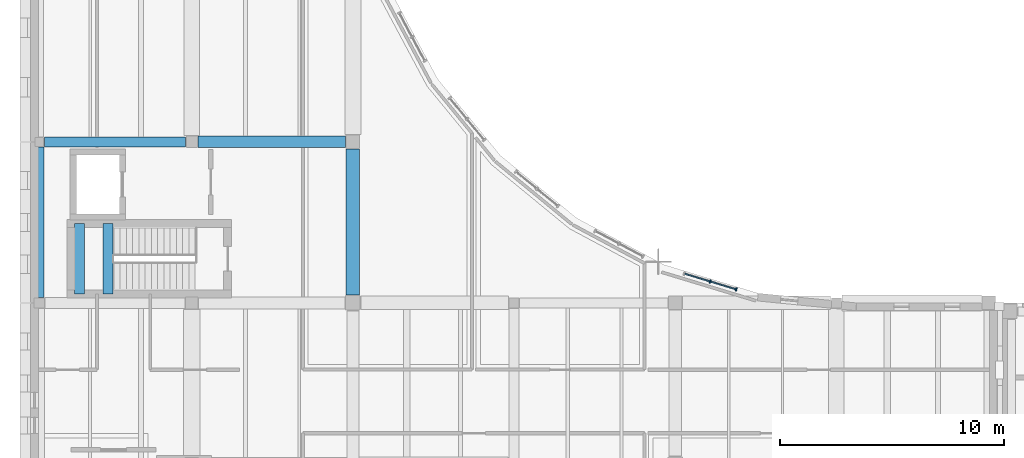
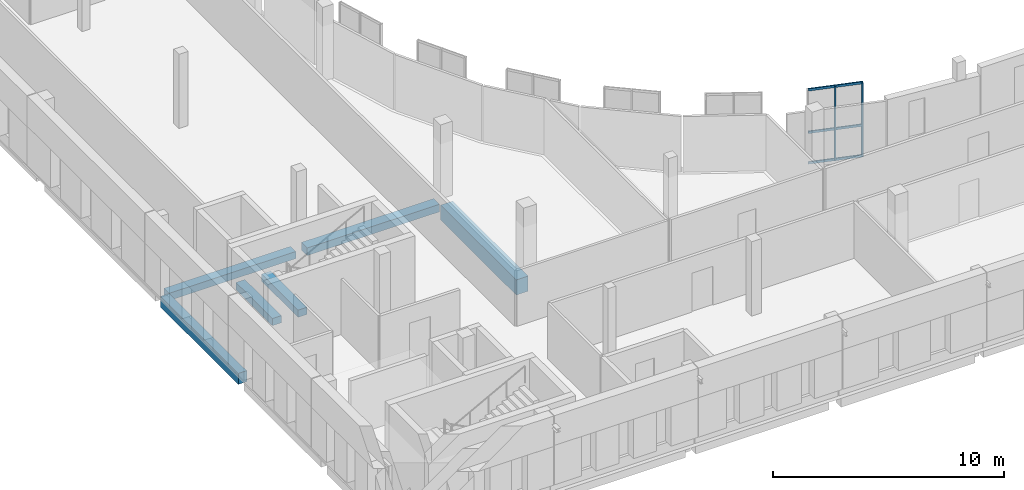
# One storey, part 8 of 76: 8 members, 6 beams, 1 element without a shape of its own.
"""IFC4 building model written with IfcOpenShell, lengths in metres."""

import ifcopenshell
import ifcopenshell.guid

model = None  # the IFC model being written
_history = None  # IfcOwnerHistory: only IFC2X3 demands one
_inside = {}  # id of a spatial element -> (the spatial element, [elements in it])
_under = {}  # id of a project, library or spatial element -> (it, [spatial elements below it])
_declared = {}  # id of a project -> (the project, [libraries it declares])
_typed = {}  # id of a type object -> (the type object, [elements of that type])
_made_of = {}  # id of a material, layer set ... -> (it, [elements and type objects made of it])


def new_model(schema):
    """Start an empty IFC model of exactly this schema.

    Asked for "IFC4X3", IfcOpenShell would pick the latest addendum, in which some entities
    have other attributes; the version numbers below select the first issue.
    IFC2X3 requires an IfcOwnerHistory on every rooted entity: one is made here for all.
    """
    global model, _history
    if schema == "IFC4X3":
        model = ifcopenshell.file(schema_version=(4, 3, 0, 0))
    else:
        model = ifcopenshell.file(schema=schema)
    _inside.clear()
    _under.clear()
    _declared.clear()
    _typed.clear()
    _made_of.clear()
    _history = None
    if model.schema == "IFC2X3":
        org = make("IfcOrganization", Name="unknown")
        user = make(
            "IfcPersonAndOrganization",
            ThePerson=make("IfcPerson", FamilyName="unknown"),
            TheOrganization=org,
        )
        app = make(
            "IfcApplication",
            ApplicationDeveloper=org,
            Version="unknown",
            ApplicationFullName="unknown",
            ApplicationIdentifier="unknown",
        )
        _history = make(
            "IfcOwnerHistory",
            OwningUser=user,
            OwningApplication=app,
            ChangeAction="ADDED",
            CreationDate=0,
        )
    return model


def make(cls, **values):
    """One entity of the class cls with the attributes given. An attribute that is None is left unset."""
    return model.create_entity(
        cls, **{name: value for name, value in values.items() if value is not None}
    )


def rooted(cls, **values):
    """An entity with a GlobalId (a new one), such as an element, a storey or a relation."""
    return make(cls, GlobalId=ifcopenshell.guid.new(), OwnerHistory=_history, **values)


def si_unit(unit_type, name, prefix=None):
    """IfcSIUnit, for example si_unit("LENGTHUNIT", "METRE", prefix="MILLI")."""
    return make("IfcSIUnit", UnitType=unit_type, Prefix=prefix, Name=name)


def assignment(units):
    """IfcUnitAssignment: the units of a project."""
    return None if units is None else make("IfcUnitAssignment", Units=units)


def point(xyz):
    """IfcCartesianPoint."""
    return None if xyz is None else make("IfcCartesianPoint", Coordinates=xyz)


def direction(xyz):
    """IfcDirection."""
    return None if xyz is None else make("IfcDirection", DirectionRatios=xyz)


def frame(location, z_axis=None, x_axis=None):
    """IfcAxis2Placement3D, a coordinate frame: its origin and axes. An axis left out is left unset."""
    return make(
        "IfcAxis2Placement3D",
        Location=point(location),
        Axis=direction(z_axis),
        RefDirection=direction(x_axis),
    )


def frame_2d(location, x_axis=None):
    """IfcAxis2Placement2D, a coordinate frame in the plane: its origin and x axis."""
    return make(
        "IfcAxis2Placement2D", Location=point(location), RefDirection=direction(x_axis)
    )


def origin():
    """The frame at (0, 0, 0) with its axes left unset."""
    return frame((0.0, 0.0, 0.0))


def origin_2d():
    """The frame at (0, 0) in the plane with its x axis left unset."""
    return frame_2d((0.0, 0.0))


def place(relative_to, where):
    """IfcLocalPlacement: puts the frame where relative to a parent placement (None: the world)."""
    return make(
        "IfcLocalPlacement", PlacementRelTo=relative_to, RelativePlacement=where
    )


def context(
    kind, dimensions, precision=None, world=None, true_north=None, identifier=None
):
    """IfcGeometricRepresentationContext, for example the 3D "Model" context."""
    return make(
        "IfcGeometricRepresentationContext",
        ContextIdentifier=identifier,
        ContextType=kind,
        CoordinateSpaceDimension=dimensions,
        Precision=precision,
        WorldCoordinateSystem=world,
        TrueNorth=true_north,
    )


def subcontext(parent, identifier, kind, view, scale=None):
    """IfcGeometricRepresentationSubContext, for example "Body" below "Model"."""
    return make(
        "IfcGeometricRepresentationSubContext",
        ContextIdentifier=identifier,
        ContextType=kind,
        ParentContext=parent,
        TargetScale=scale,
        TargetView=view,
    )


def project(units=None, contexts=None):
    """IfcProject with its units and contexts."""
    return rooted(
        "IfcProject",
        Name="project",
        RepresentationContexts=contexts,
        UnitsInContext=assignment(units),
    )


def spatial(cls, under=None, at=None, **own):
    """A site, building, storey or space (cls), placed at a placement, below another one or the project."""
    s = rooted(cls, ObjectPlacement=at, **own)
    if under is not None:
        _under.setdefault(under.id(), (under, []))[1].append(s)
    return s


def profile(cls, at=None, kind="AREA", **sizes):
    """A parametric profile (cls). Its sizes go by their IFC names, for example OverallWidth=200.0."""
    return make(cls, ProfileType=kind, Position=at, **sizes)


def rectangle(**sizes):
    """IfcRectangleProfileDef."""
    return profile("IfcRectangleProfileDef", **sizes)


def extrude(swept, where, along, depth):
    """IfcExtrudedAreaSolid: the profile swept, set in the frame where, extruded along a direction by depth."""
    return make(
        "IfcExtrudedAreaSolid",
        SweptArea=swept,
        Position=where,
        ExtrudedDirection=direction(along),
        Depth=depth,
    )


def shape(context_of_items, identifier, shape_type, items):
    """IfcShapeRepresentation: the items that make up one representation, for example the "Body"."""
    return make(
        "IfcShapeRepresentation",
        ContextOfItems=context_of_items,
        RepresentationIdentifier=identifier,
        RepresentationType=shape_type,
        Items=items,
    )


def material(Name=None, Category=None):
    """IfcMaterial."""
    return make("IfcMaterial", Name=Name, Category=Category)


def layer(
    of_material, thickness, ventilated=None, Name=None, Category=None, Priority=None
):
    """IfcMaterialLayer: one layer of a wall or slab, of a material (None: an air gap)."""
    return make(
        "IfcMaterialLayer",
        Material=of_material,
        LayerThickness=thickness,
        IsVentilated=ventilated,
        Name=Name,
        Category=Category,
        Priority=Priority,
    )


def layer_set(layers, Name=None):
    """IfcMaterialLayerSet."""
    return make("IfcMaterialLayerSet", MaterialLayers=layers, LayerSetName=Name)


def material_profile(
    of_material, cross_section, Name=None, Category=None, Priority=None
):
    """IfcMaterialProfile: a cross section and its material."""
    return make(
        "IfcMaterialProfile",
        Name=Name,
        Material=of_material,
        Profile=cross_section,
        Priority=Priority,
        Category=Category,
    )


def profile_set(profiles, Name=None, composite=None):
    """IfcMaterialProfileSet."""
    return make(
        "IfcMaterialProfileSet",
        Name=Name,
        MaterialProfiles=profiles,
        CompositeProfile=composite,
    )


def made_of(thing, what):
    """Note that an element or type object is made of a material, layer set ...; save() writes the relation."""
    if what is not None:
        _made_of.setdefault(what.id(), (what, []))[1].append(thing)
    return thing


def type_object(cls, material=None, **own):
    """A type object (cls), such as IfcWallType, which elements share."""
    return made_of(rooted(cls, **own), material)


def element(
    cls,
    number,
    at=None,
    inside=None,
    cuts=None,
    type_object=None,
    material=None,
    context=None,
    identifier="Body",
    shape_type=None,
    held_by="IfcProductDefinitionShape",
    body=None,
    shapes=None,
    **own,
):
    """One element of the class cls, such as IfcWall. Its Tag is "e" and its number.

    at: its placement. inside: the storey or other place that contains it. cuts: it is an
    opening in that element (IfcRelVoidsElement). A single representation is given by context,
    identifier, shape_type and body (its items); several are given by shapes. held_by: the class
    of the entity that holds the representations. save() writes the other relations.
    """
    e = rooted(cls, Tag="e%d" % number, ObjectPlacement=at, **own)
    if body is not None:
        shapes = [shape(context, identifier, shape_type, body)]
    if shapes is not None:
        e.Representation = make(held_by, Representations=shapes)
    if inside is not None:
        _inside.setdefault(inside.id(), (inside, []))[1].append(e)
    if cuts is not None:
        rooted(
            "IfcRelVoidsElement", RelatingBuildingElement=cuts, RelatedOpeningElement=e
        )
    if type_object is not None:
        _typed.setdefault(type_object.id(), (type_object, []))[1].append(e)
    return made_of(e, material)


def aggregate(whole, parts):
    """IfcRelAggregates: a whole, such as a stair, and the parts it consists of."""
    return rooted("IfcRelAggregates", RelatingObject=whole, RelatedObjects=parts)


def save(model, path):
    """Write the relations noted so far, then the file.

    IfcRelAggregates (storeys below a building ...), IfcRelContainedInSpatialStructure (elements
    in a storey), IfcRelDefinesByType, IfcRelAssociatesMaterial and IfcRelDeclares: one each for
    every whole, place, type object, material and project.
    """
    for whole, parts in _under.values():
        aggregate(whole, parts)
    for where, things in _inside.values():
        rooted(
            "IfcRelContainedInSpatialStructure",
            RelatedElements=things,
            RelatingStructure=where,
        )
    for kind, things in _typed.values():
        rooted("IfcRelDefinesByType", RelatedObjects=things, RelatingType=kind)
    for what, things in _made_of.values():
        rooted("IfcRelAssociatesMaterial", RelatedObjects=things, RelatingMaterial=what)
    for by, libraries in _declared.values():
        rooted("IfcRelDeclares", RelatingContext=by, RelatedDefinitions=libraries)
    model.write(path)


model = new_model("IFC4")

# Units and contexts
model_context = context("Model", 3, precision=1e-05, world=origin(), true_north=direction((0.0, 1.0)))
body_context = subcontext(model_context, "Body", "Model", "MODEL_VIEW")
ifc_project = project(units=[si_unit("LENGTHUNIT", "METRE"), si_unit("AREAUNIT", "SQUARE_METRE"), si_unit("VOLUMEUNIT", "CUBIC_METRE"), si_unit("PLANEANGLEUNIT", "RADIAN"), si_unit("MASSUNIT", "GRAM", prefix="KILO")], contexts=[model_context])

# Site, building, storey
site_placement = place(None, origin())
site = spatial("IfcSite", under=ifc_project, at=site_placement, CompositionType="ELEMENT")
building_placement = place(site_placement, origin())
building = spatial("IfcBuilding", under=site, at=building_placement, Name="Vardoun Plaza Health Centre", CompositionType="ELEMENT")
storey_placement = place(building_placement, frame((0.0, 0.0, 4.5)))
storey = spatial("IfcBuildingStorey", under=building, at=storey_placement, Name="L01", CompositionType="ELEMENT", Elevation=4.5)

# Beams
ifc_material_1 = material(Name="Concrete C35/45", Category="concrete")
ifc_material_profile_1 = material_profile(ifc_material_1, rectangle(XDim=0.419921875, YDim=0.580078125, at=origin_2d()), Name="RC-BM 420x580")
ifc_profile_set_1 = profile_set([ifc_material_profile_1], Name="Concrete C35/45")
beam_type_1 = type_object("IfcBeamType", Name="B-10", PredefinedType="SPANDREL", material=ifc_profile_set_1)
beam_1_placement = place(storey_placement, frame((4.8798828125, 19.14990234375, -0.570068359375), z_axis=(0.0, 1.0, 0.0), x_axis=(-1.0, 0.0, 0.0)))
element("IfcBeam", 1, at=beam_1_placement, inside=storey, type_object=beam_type_1, Name="V2 L01 Beam B-V2-L01-Y35", PredefinedType="SPANDREL", context=body_context, shape_type="SweptSolid", body=[
    extrude(rectangle(XDim=0.419921875, YDim=0.580078125, at=origin_2d()), origin(), (0.0, 0.0, 1.0), 6.72509765625),
])
ifc_material_2 = material(Name="Concrete C35/45", Category="concrete")
ifc_material_profile_2 = material_profile(ifc_material_2, rectangle(XDim=0.449951171875, YDim=0.3798828125, at=origin_2d()), Name="RC-BM 450x380")
ifc_profile_set_2 = profile_set([ifc_material_profile_2], Name="Concrete C35/45")
beam_type_2 = type_object("IfcBeamType", Name="B-01", PredefinedType="BEAM", material=ifc_profile_set_2)
beam_2_placement = place(storey_placement, frame((5.10498046875, 26.10009765625, -0.469970703125), z_axis=(1.0, 0.0, 0.0), x_axis=(0.0, 1.0, 0.0)))
element("IfcBeam", 2, at=beam_2_placement, inside=storey, type_object=beam_type_2, Name="V2 L01 Beam B-V2-L01-X04", PredefinedType="BEAM", context=body_context, shape_type="SweptSolid", body=[
    extrude(rectangle(XDim=0.449951171875, YDim=0.3798828125, at=origin_2d()), origin(), (0.0, 0.0, 1.0), 6.320068359375),
])
for number, where, z_axis, x_axis, name in (
    (3, (6.679931640625, 19.300048828125, 1.7099609375), (0.0, 1.0, 0.0), (-1.0, 0.0, 0.0), "Stair ST-C2-L01 Landing Beam 1"),
    (4, (7.9599609375, 19.300048828125, 1.7099609375), (0.0, 1.0, 0.0), (-1.0, 0.0, 0.0), "Stair ST-C2-L01 Landing Beam 2"),
):
    element("IfcBeam", number, at=place(storey_placement, frame(where, z_axis=z_axis, x_axis=x_axis)), inside=storey, type_object=beam_type_2, Name=name, PredefinedType="BEAM", context=body_context, shape_type="SweptSolid", body=[
        extrude(rectangle(XDim=0.449951171875, YDim=0.3798828125, at=origin_2d()), origin(), (0.0, 0.0, 1.0), 3.14990234375),
    ])
ifc_material_3 = material(Name="Concrete C35/45", Category="concrete")
ifc_material_profile_3 = material_profile(ifc_material_3, rectangle(XDim=0.5, YDim=0.39990234375, at=origin_2d()), Name="RC-BM 500x400")
ifc_profile_set_3 = profile_set([ifc_material_profile_3], Name="Concrete C35/45")
beam_type_3 = type_object("IfcBeamType", Name="B-02", PredefinedType="BEAM", material=ifc_profile_set_3)
beam_3_placement = place(storey_placement, frame((11.97509765625, 26.10009765625, -0.47998046875), z_axis=(1.0, 0.0, 0.0), x_axis=(0.0, 1.0, 0.0)))
element("IfcBeam", 5, at=beam_3_placement, inside=storey, type_object=beam_type_3, Name="V2 L01 Beam B-V2-L01-X14", PredefinedType="BEAM", context=body_context, shape_type="SweptSolid", body=[
    extrude(rectangle(XDim=0.5, YDim=0.39990234375, at=origin_2d()), origin(), (0.0, 0.0, 1.0), 6.599853515625),
])
ifc_material_4 = material(Name="Concrete C40/50", Category="concrete")
ifc_material_profile_4 = material_profile(ifc_material_4, rectangle(XDim=0.60009765625, YDim=0.800048828125, at=origin_2d()), Name="RC-BM 600x800")
ifc_profile_set_4 = profile_set([ifc_material_profile_4], Name="Concrete C40/50")
beam_type_4 = type_object("IfcBeamType", Name="B-15", PredefinedType="JOIST", material=ifc_profile_set_4)
beam_4_placement = place(storey_placement, frame((18.89990234375, 19.25, -0.679931640625), z_axis=(0.0, 1.0, 0.0), x_axis=(-1.0, 0.0, 0.0)))
element("IfcBeam", 6, at=beam_4_placement, inside=storey, type_object=beam_type_4, Name="V2 L01 Beam B-V2-L01-Y51", PredefinedType="JOIST", context=body_context, shape_type="SweptSolid", body=[
    extrude(rectangle(XDim=0.60009765625, YDim=0.800048828125, at=origin_2d()), origin(), (0.0, 0.0, 1.0), 6.52490234375),
])

# Curtain wall, members
ifc_material_5 = material(Name="Aluminium Alloy EN AW-6063-T6 and Low-E Glass", Category="aluminium")
ifc_layer = layer(ifc_material_5, 0.159912109375)
ifc_layer_set = layer_set([ifc_layer], Name="Aluminium Alloy EN AW-6063-T6 and Low-E Glass")
curtain_wall_type = type_object("IfcCurtainWallType", Name="CW-02", PredefinedType="USERDEFINED", material=ifc_layer_set)
curtain_wall_placement = place(storey_placement, origin())
curtain_wall = element("IfcCurtainWall", 7, at=curtain_wall_placement, inside=storey, type_object=curtain_wall_type, Name="Curtain Wall CW-V2-044", ObjectType="COURTYARD_CURTAIN_WALL", PredefinedType="USERDEFINED")
ifc_material_6 = material(Name="Aluminium Alloy EN AW-6063-T6", Category="aluminium")
ifc_material_profile_5 = material_profile(ifc_material_6, rectangle(XDim=0.159912109375, YDim=0.06005859375, at=origin_2d()), Name="CWM 60x160")
ifc_profile_set_5 = profile_set([ifc_material_profile_5], Name="Aluminium Alloy EN AW-6063-T6")
member_type_1 = type_object("IfcMemberType", Name="CW-M1", PredefinedType="MULLION", material=ifc_profile_set_5)
member_1_placement = place(storey_placement, frame((34.865234375, 19.857666015625, 0.0), z_axis=(0.0, 0.0, 1.0), x_axis=(0.290300428595, 0.956935557474, 0.0)))
member_1 = element("IfcMember", 8, at=member_1_placement, type_object=member_type_1, Name="CW-V2-044 mullion 2", PredefinedType="MULLION", context=body_context, shape_type="SweptSolid", body=[
    extrude(rectangle(XDim=0.159912109375, YDim=0.06005859375, at=origin_2d()), origin(), (0.0, 0.0, 1.0), 3.919921875),
])
member_2_placement = place(storey_placement, frame((36.0283203125, 19.5048828125, 0.0), z_axis=(0.0, 0.0, 1.0), x_axis=(0.290300428595, 0.956935557474, 0.0)))
member_2 = element("IfcMember", 9, at=member_2_placement, type_object=member_type_1, Name="CW-V2-044 mullion 3", PredefinedType="MULLION", context=body_context, shape_type="SweptSolid", body=[
    extrude(rectangle(XDim=0.159912109375, YDim=0.06005859375, at=origin_2d()), origin(), (0.0, 0.0, 1.0), 3.919921875),
])
ifc_material_7 = material(Name="Aluminium Alloy EN AW-6063-T6", Category="aluminium")
ifc_material_profile_6 = material_profile(ifc_material_7, rectangle(XDim=0.06005859375, YDim=0.1201171875, at=origin_2d()), Name="CWT 60x120")
ifc_profile_set_6 = profile_set([ifc_material_profile_6], Name="Aluminium Alloy EN AW-6063-T6")
member_type_2 = type_object("IfcMemberType", Name="CW-T1", PredefinedType="USERDEFINED", material=ifc_profile_set_6)
member_3_placement = place(storey_placement, frame((33.730712890625, 20.20166015625, 0.030029296875), z_axis=(0.956990632141, -0.290118820475, 0.0), x_axis=(0.290118820475, 0.956990632141, 0.0)))
member_3 = element("IfcMember", 10, at=member_3_placement, type_object=member_type_2, Name="CW-V2-044 transom 1.1", ObjectType="TRANSOM", PredefinedType="USERDEFINED", context=body_context, shape_type="SweptSolid", body=[
    extrude(rectangle(XDim=0.06005859375, YDim=0.1201171875, at=origin_2d()), origin(), (0.0, 0.0, 1.0), 1.155517578125),
])
member_4_placement = place(storey_placement, frame((33.730712890625, 20.20166015625, 1.646484375), z_axis=(0.956990632141, -0.290118820475, 0.0), x_axis=(0.290118820475, 0.956990632141, 0.0)))
member_4 = element("IfcMember", 11, at=member_4_placement, type_object=member_type_2, Name="CW-V2-044 transom 1.2", ObjectType="TRANSOM", PredefinedType="USERDEFINED", context=body_context, shape_type="SweptSolid", body=[
    extrude(rectangle(XDim=0.06005859375, YDim=0.1201171875, at=origin_2d()), origin(), (0.0, 0.0, 1.0), 1.155517578125),
])
member_5_placement = place(storey_placement, frame((33.730712890625, 20.20166015625, 3.889892578125), z_axis=(0.956990632141, -0.290118820475, 0.0), x_axis=(0.290118820475, 0.956990632141, 0.0)))
member_5 = element("IfcMember", 12, at=member_5_placement, type_object=member_type_2, Name="CW-V2-044 transom 1.3", ObjectType="TRANSOM", PredefinedType="USERDEFINED", context=body_context, shape_type="SweptSolid", body=[
    extrude(rectangle(XDim=0.06005859375, YDim=0.1201171875, at=origin_2d()), origin(), (0.0, 0.0, 1.0), 1.155517578125),
])
member_6_placement = place(storey_placement, frame((34.89404296875, 19.848876953125, 0.030029296875), z_axis=(0.956914136663, -0.290371029986, 0.0), x_axis=(0.290371029986, 0.956914136663, 0.0)))
member_6 = element("IfcMember", 13, at=member_6_placement, type_object=member_type_2, Name="CW-V2-044 transom 2.1", ObjectType="TRANSOM", PredefinedType="USERDEFINED", context=body_context, shape_type="SweptSolid", body=[
    extrude(rectangle(XDim=0.06005859375, YDim=0.1201171875, at=origin_2d()), origin(), (0.0, 0.0, 1.0), 1.1552734375),
])
member_7_placement = place(storey_placement, frame((34.89404296875, 19.848876953125, 1.646484375), z_axis=(0.956914136663, -0.290371029986, 0.0), x_axis=(0.290371029986, 0.956914136663, 0.0)))
member_7 = element("IfcMember", 14, at=member_7_placement, type_object=member_type_2, Name="CW-V2-044 transom 2.2", ObjectType="TRANSOM", PredefinedType="USERDEFINED", context=body_context, shape_type="SweptSolid", body=[
    extrude(rectangle(XDim=0.06005859375, YDim=0.1201171875, at=origin_2d()), origin(), (0.0, 0.0, 1.0), 1.1552734375),
])
member_8_placement = place(storey_placement, frame((34.89404296875, 19.848876953125, 3.889892578125), z_axis=(0.956914136663, -0.290371029986, 0.0), x_axis=(0.290371029986, 0.956914136663, 0.0)))
member_8 = element("IfcMember", 15, at=member_8_placement, type_object=member_type_2, Name="CW-V2-044 transom 2.3", ObjectType="TRANSOM", PredefinedType="USERDEFINED", context=body_context, shape_type="SweptSolid", body=[
    extrude(rectangle(XDim=0.06005859375, YDim=0.1201171875, at=origin_2d()), origin(), (0.0, 0.0, 1.0), 1.1552734375),
])
aggregate(curtain_wall, [member_1, member_2, member_3, member_4, member_5, member_6, member_7, member_8])

save(model, "model.ifc")
